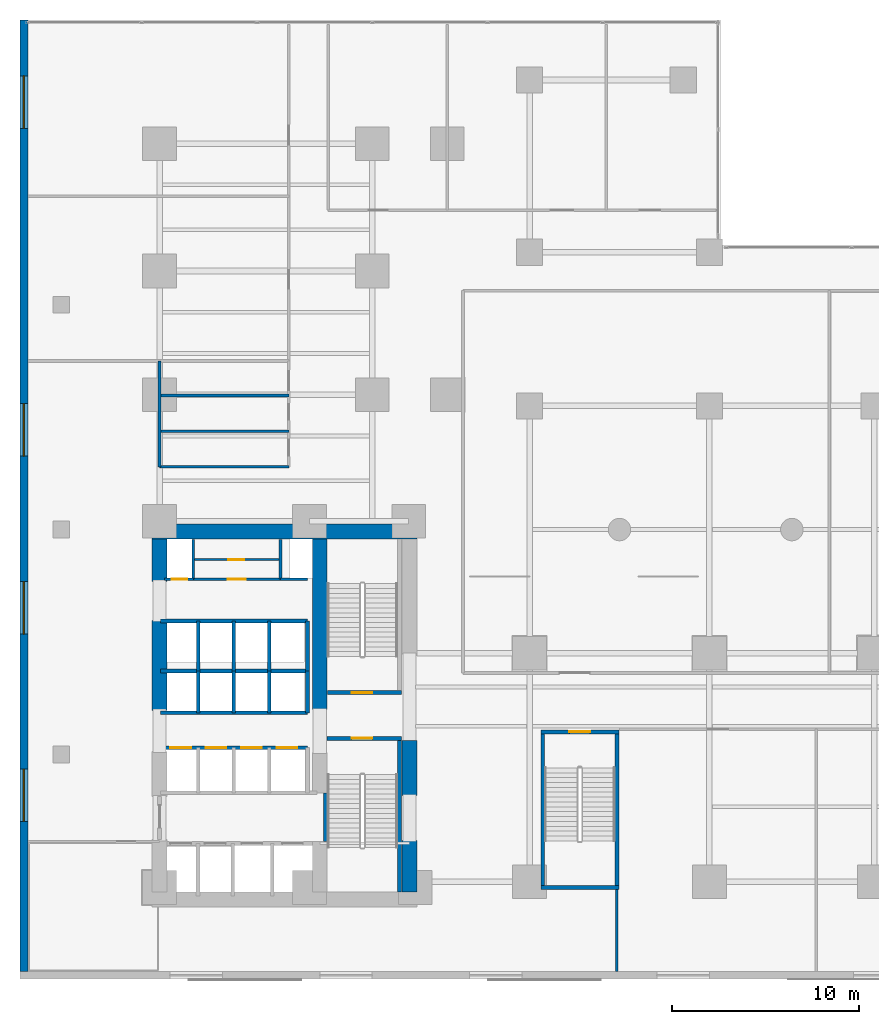
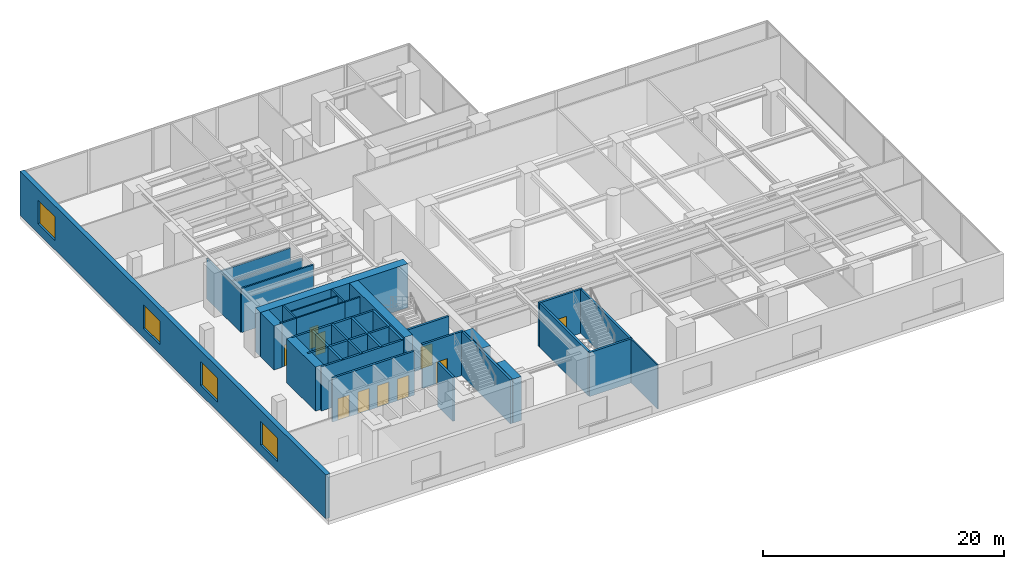
# One storey, part 12 of 16: 38 walls, 10 doors, 4 windows, 14 openings.
"""IFC4 building model written with IfcOpenShell, lengths in metres."""

from ifc_helpers import new_model, si_unit, direction, frame, frame_2d, origin, place, context, subcontext, project, spatial, rectangle, extrude, material, layer, layer_set, type_object, element, fill, save


model = new_model("IFC4")

# Units and contexts
model_context = context("Model", 3, precision=1e-05, world=origin(), true_north=direction((0.0, 1.0)))
body_context = subcontext(model_context, "Body", "Model", "MODEL_VIEW")
ifc_project = project(units=[si_unit("LENGTHUNIT", "METRE"), si_unit("AREAUNIT", "SQUARE_METRE"), si_unit("VOLUMEUNIT", "CUBIC_METRE"), si_unit("PLANEANGLEUNIT", "RADIAN"), si_unit("MASSUNIT", "GRAM", prefix="KILO")], contexts=[model_context])

# Site, building, storey
site_placement = place(None, origin())
site = spatial("IfcSite", under=ifc_project, at=site_placement, CompositionType="ELEMENT")
building_placement = place(site_placement, origin())
building = spatial("IfcBuilding", under=site, at=building_placement, Name="Kolvaren Waterfront Exchange", CompositionType="ELEMENT")
storey_placement = place(building_placement, frame((0.0, 0.0, 20.0)))
storey = spatial("IfcBuildingStorey", under=building, at=storey_placement, Name="L05", CompositionType="ELEMENT", Elevation=20.0)

# Wall, openings, windows
ifc_material_1 = material(Name="Precast concrete C40/50", Category="concrete")
ifc_layer_1 = layer(ifc_material_1, 0.419921875, Name="Precast concrete C40/50")
ifc_layer_set_1 = layer_set([ifc_layer_1], Name="Precast concrete C40/50")
wall_type_1 = type_object("IfcWallType", Name="ARC-EXT-GRANITE-420", PredefinedType="SOLIDWALL", material=ifc_layer_set_1)
wall_1_placement = place(storey_placement, frame((0.2099609375, 0.419921875, 0.0), z_axis=(0.0, 0.0, 1.0), x_axis=(0.0, 1.0, 0.0)))
wall_1 = element("IfcWall", 1, at=wall_1_placement, inside=storey, type_object=wall_type_1, Name="L05 west granite precast facade wall", PredefinedType="SOLIDWALL", context=body_context, shape_type="SweptSolid", body=[
    extrude(rectangle(XDim=50.780029296875, YDim=0.419921875, at=frame_2d((25.39013671875, 0.0))), origin(), (0.0, 0.0, 1.0), 4.4599609375),
])
opening_1_placement = place(wall_1_placement, frame((8.0, 0.0, 0.949951171875)))
opening_1 = element("IfcOpeningElement", 2, at=opening_1_placement, cuts=wall_1, Name="Opening W05", PredefinedType="OPENING", context=body_context, shape_type="SweptSolid", body=[
    extrude(rectangle(XDim=2.800048828125, YDim=2.39990234375, at=frame_2d((1.39990234375, 1.199951171875))), frame((0.0, 0.219970703125, 0.0), z_axis=(0.0, -1.0, 0.0), x_axis=(1.0, 0.0, 0.0)), (0.0, 0.0, 1.0), 0.43994140625),
])
opening_2_placement = place(wall_1_placement, frame((18.0, 0.0, 0.949951171875)))
opening_2 = element("IfcOpeningElement", 3, at=opening_2_placement, cuts=wall_1, Name="Opening W05", PredefinedType="OPENING", context=body_context, shape_type="SweptSolid", body=[
    extrude(rectangle(XDim=2.800048828125, YDim=2.39990234375, at=frame_2d((1.39990234375, 1.199951171875))), frame((0.0, 0.219970703125, 0.0), z_axis=(0.0, -1.0, 0.0), x_axis=(1.0, 0.0, 0.0)), (0.0, 0.0, 1.0), 0.43994140625),
])
opening_3_placement = place(wall_1_placement, frame((27.5, 0.0, 0.949951171875)))
opening_3 = element("IfcOpeningElement", 4, at=opening_3_placement, cuts=wall_1, Name="Opening W05", PredefinedType="OPENING", context=body_context, shape_type="SweptSolid", body=[
    extrude(rectangle(XDim=2.800048828125, YDim=2.39990234375, at=frame_2d((1.39990234375, 1.199951171875))), frame((0.0, 0.219970703125, 0.0), z_axis=(0.0, -1.0, 0.0), x_axis=(1.0, 0.0, 0.0)), (0.0, 0.0, 1.0), 0.43994140625),
])
opening_4_placement = place(wall_1_placement, frame((45.0, 0.0, 0.949951171875)))
opening_4 = element("IfcOpeningElement", 5, at=opening_4_placement, cuts=wall_1, Name="Opening W05", PredefinedType="OPENING", context=body_context, shape_type="SweptSolid", body=[
    extrude(rectangle(XDim=2.800048828125, YDim=2.39990234375, at=frame_2d((1.39990234375, 1.199951171875))), frame((0.0, 0.219970703125, 0.0), z_axis=(0.0, -1.0, 0.0), x_axis=(1.0, 0.0, 0.0)), (0.0, 0.0, 1.0), 0.43994140625),
])
ifc_material_2 = material(Name="High-span laminated vision glass", Category="glass")
window_type = type_object("IfcWindowType", Name="ARC-WIN-2800x2400", PartitioningType="SINGLE_PANEL", PredefinedType="WINDOW", material=ifc_material_2)
window_1_placement = place(opening_1_placement, origin())
window_1 = element("IfcWindow", 6, at=window_1_placement, inside=storey, type_object=window_type, Name="L05 west modular window 1", OverallHeight=2.39990234375, OverallWidth=2.800048828125, PartitioningType="SINGLE_PANEL", PredefinedType="WINDOW", context=body_context, shape_type="SweptSolid", body=[
    extrude(rectangle(XDim=2.800048828125, YDim=2.39990234375, at=frame_2d((1.39990234375, 1.199951171875))), frame((0.0, 0.030029296875, 0.0), z_axis=(0.0, -1.0, 0.0), x_axis=(1.0, 0.0, 0.0)), (0.0, 0.0, 1.0), 0.06005859375),
])
fill(opening_1, window_1)
window_2_placement = place(opening_2_placement, origin())
window_2 = element("IfcWindow", 7, at=window_2_placement, inside=storey, type_object=window_type, Name="L05 west modular window 2", OverallHeight=2.39990234375, OverallWidth=2.800048828125, PartitioningType="SINGLE_PANEL", PredefinedType="WINDOW", context=body_context, shape_type="SweptSolid", body=[
    extrude(rectangle(XDim=2.800048828125, YDim=2.39990234375, at=frame_2d((1.39990234375, 1.199951171875))), frame((0.0, 0.030029296875, 0.0), z_axis=(0.0, -1.0, 0.0), x_axis=(1.0, 0.0, 0.0)), (0.0, 0.0, 1.0), 0.06005859375),
])
fill(opening_2, window_2)
window_3_placement = place(opening_3_placement, origin())
window_3 = element("IfcWindow", 8, at=window_3_placement, inside=storey, type_object=window_type, Name="L05 west modular window 3", OverallHeight=2.39990234375, OverallWidth=2.800048828125, PartitioningType="SINGLE_PANEL", PredefinedType="WINDOW", context=body_context, shape_type="SweptSolid", body=[
    extrude(rectangle(XDim=2.800048828125, YDim=2.39990234375, at=frame_2d((1.39990234375, 1.199951171875))), frame((0.0, 0.030029296875, 0.0), z_axis=(0.0, -1.0, 0.0), x_axis=(1.0, 0.0, 0.0)), (0.0, 0.0, 1.0), 0.06005859375),
])
fill(opening_3, window_3)
window_4_placement = place(opening_4_placement, origin())
window_4 = element("IfcWindow", 9, at=window_4_placement, inside=storey, type_object=window_type, Name="L05 west modular window 4", OverallHeight=2.39990234375, OverallWidth=2.800048828125, PartitioningType="SINGLE_PANEL", PredefinedType="WINDOW", context=body_context, shape_type="SweptSolid", body=[
    extrude(rectangle(XDim=2.800048828125, YDim=2.39990234375, at=frame_2d((1.39990234375, 1.199951171875))), frame((0.0, 0.030029296875, 0.0), z_axis=(0.0, -1.0, 0.0), x_axis=(1.0, 0.0, 0.0)), (0.0, 0.0, 1.0), 0.06005859375),
])
fill(opening_4, window_4)

# Wall, opening, door
ifc_layer_2 = layer(ifc_material_1, 0.199951171875, Name="Precast concrete C40/50")
ifc_layer_set_2 = layer_set([ifc_layer_2], Name="Precast concrete C40/50")
wall_type_2 = type_object("IfcWallType", Name="ARC-FIRE-200", PredefinedType="PARTITIONING", material=ifc_layer_set_2)
wall_2_placement = place(storey_placement, frame((16.39990234375, 12.85009765625, 0.0), z_axis=(0.0, 0.0, 1.0), x_axis=(1.0, 0.0, 0.0)))
wall_2 = element("IfcWall", 10, at=wall_2_placement, inside=storey, type_object=wall_type_2, Name="L05 interior wall PW-L05-ST1-THROAT-S", PredefinedType="PARTITIONING", context=body_context, shape_type="SweptSolid", body=[
    extrude(rectangle(XDim=3.960205078125, YDim=0.199951171875, at=frame_2d((1.97998046875, 0.0))), origin(), (0.0, 0.0, 1.0), 4.4599609375),
])
opening_5_placement = place(wall_2_placement, frame((1.3037109375, 0.0, 0.0)))
opening_5 = element("IfcOpeningElement", 11, at=opening_5_placement, cuts=wall_2, Name="Opening FD2", PredefinedType="OPENING", context=body_context, shape_type="SweptSolid", body=[
    extrude(rectangle(XDim=1.10009765625, YDim=2.199951171875, at=frame_2d((0.550048828125, 1.10009765625))), frame((0.0, 0.10986328125, 0.0), z_axis=(0.0, -1.0, 0.0), x_axis=(1.0, 0.0, 0.0)), (0.0, 0.0, 1.0), 0.219970703125),
])
ifc_material_3 = material(Name="Pressed steel smoke-seal fire door", Category="steel")
door_type_1 = type_object("IfcDoorType", Name="ARC-FD-1100", OperationType="NOTDEFINED", PredefinedType="DOOR", material=ifc_material_3)
door_1_placement = place(opening_5_placement, frame((1.10009765625, 0.0, 0.0), z_axis=(0.0, 0.0, 1.0), x_axis=(-1.0, 0.0, 0.0)))
door_1 = element("IfcDoor", 12, at=door_1_placement, inside=storey, type_object=door_type_1, Name="L05 door DR-L05-ST1-IN (FD2)", OperationType="SINGLE_SWING_LEFT", OverallHeight=2.199951171875, OverallWidth=1.10009765625, PredefinedType="DOOR", context=body_context, shape_type="SweptSolid", body=[
    extrude(rectangle(XDim=1.10009765625, YDim=2.199951171875, at=frame_2d((0.550048828125, 1.10009765625))), frame((0.0, 0.02490234375, 0.0), z_axis=(0.0, -1.0, 0.0), x_axis=(1.0, 0.0, 0.0)), (0.0, 0.0, 1.0), 0.050048828125),
])
fill(opening_5, door_1)

wall_3_placement = place(storey_placement, frame((16.409912109375, 15.300048828125, 0.0), z_axis=(0.0, 0.0, 1.0), x_axis=(1.0, 0.0, 0.0)))
wall_3 = element("IfcWall", 13, at=wall_3_placement, inside=storey, type_object=wall_type_2, Name="L05 interior wall PW-L05-ST2-THROAT-N", PredefinedType="PARTITIONING", context=body_context, shape_type="SweptSolid", body=[
    extrude(rectangle(XDim=3.9501953125, YDim=0.199951171875, at=frame_2d((1.97509765625, 0.0))), origin(), (0.0, 0.0, 1.0), 4.4599609375),
])
opening_6_placement = place(wall_3_placement, frame((1.293701171875, 0.0, 0.0)))
opening_6 = element("IfcOpeningElement", 14, at=opening_6_placement, cuts=wall_3, Name="Opening FD2", PredefinedType="OPENING", context=body_context, shape_type="SweptSolid", body=[
    extrude(rectangle(XDim=1.10009765625, YDim=2.199951171875, at=frame_2d((0.550048828125, 1.10009765625))), frame((0.0, 0.10986328125, 0.0), z_axis=(0.0, -1.0, 0.0), x_axis=(1.0, 0.0, 0.0)), (0.0, 0.0, 1.0), 0.219970703125),
])
door_2_placement = place(opening_6_placement, origin())
door_2 = element("IfcDoor", 15, at=door_2_placement, inside=storey, type_object=door_type_1, Name="L05 door DR-L05-ST2-IN (FD2)", OperationType="SINGLE_SWING_RIGHT", OverallHeight=2.199951171875, OverallWidth=1.10009765625, PredefinedType="DOOR", context=body_context, shape_type="SweptSolid", body=[
    extrude(rectangle(XDim=1.10009765625, YDim=2.199951171875, at=frame_2d((0.550048828125, 1.10009765625))), frame((0.0, 0.02490234375, 0.0), z_axis=(0.0, -1.0, 0.0), x_axis=(1.0, 0.0, 0.0)), (0.0, 0.0, 1.0), 0.050048828125),
])
fill(opening_6, door_2)

ifc_material_4 = material(Name="Acoustic gypsum steel stud", Category="steel")
ifc_layer_3 = layer(ifc_material_4, 0.125, Name="Acoustic gypsum steel stud")
ifc_layer_set_3 = layer_set([ifc_layer_3], Name="Acoustic gypsum steel stud")
wall_type_3 = type_object("IfcWallType", Name="ARC-PART-125", PredefinedType="PARTITIONING", material=ifc_layer_set_3)
wall_4_placement = place(storey_placement, frame((9.25, 21.35009765625, 0.0), z_axis=(0.0, 0.0, 1.0), x_axis=(1.0, 0.0, 0.0)))
wall_4 = element("IfcWall", 16, at=wall_4_placement, inside=storey, type_object=wall_type_3, Name="L05 interior wall PW-L05-SVC-EX-S", PredefinedType="PARTITIONING", context=body_context, shape_type="SweptSolid", body=[
    extrude(rectangle(XDim=4.64990234375, YDim=0.125, at=frame_2d((2.324951171875, 0.0))), origin(), (0.0, 0.0, 1.0), 4.4599609375),
])
opening_7_placement = place(wall_4_placement, frame((1.85009765625, 0.0, 0.0)))
opening_7 = element("IfcOpeningElement", 17, at=opening_7_placement, cuts=wall_4, Name="Opening D02", PredefinedType="OPENING", context=body_context, shape_type="SweptSolid", body=[
    extrude(rectangle(XDim=0.949951171875, YDim=2.14990234375, at=frame_2d((0.47509765625, 1.074951171875))), frame((0.0, 0.072509765625, 0.0), z_axis=(0.0, -1.0, 0.0), x_axis=(1.0, 0.0, 0.0)), (0.0, 0.0, 1.0), 0.14501953125),
])
ifc_material_5 = material(Name="Oak veneer acoustic timber", Category="wood")
door_type_2 = type_object("IfcDoorType", Name="ARC-DR-950", OperationType="NOTDEFINED", PredefinedType="DOOR", material=ifc_material_5)
door_3_placement = place(opening_7_placement, origin())
door_3 = element("IfcDoor", 18, at=door_3_placement, inside=storey, type_object=door_type_2, Name="L05 door DR-L05-SVC-DR-1 (D02)", OperationType="SINGLE_SWING_RIGHT", OverallHeight=2.14990234375, OverallWidth=0.949951171875, PredefinedType="DOOR", context=body_context, shape_type="SweptSolid", body=[
    extrude(rectangle(XDim=0.949951171875, YDim=2.14990234375, at=frame_2d((0.47509765625, 1.074951171875))), frame((0.0, 0.02490234375, 0.0), z_axis=(0.0, -1.0, 0.0), x_axis=(1.0, 0.0, 0.0)), (0.0, 0.0, 1.0), 0.050048828125),
])
fill(opening_7, door_3)

wall_5_placement = place(storey_placement, frame((9.25, 22.39990234375, 0.0), z_axis=(0.0, 0.0, 1.0), x_axis=(1.0, 0.0, 0.0)))
wall_5 = element("IfcWall", 19, at=wall_5_placement, inside=storey, type_object=wall_type_3, Name="L05 interior wall PW-L05-SVC-EX-HS", PredefinedType="PARTITIONING", context=body_context, shape_type="SweptSolid", body=[
    extrude(rectangle(XDim=4.64990234375, YDim=0.125, at=frame_2d((2.324951171875, 0.0))), origin(), (0.0, 0.0, 1.0), 4.4599609375),
])
opening_8_placement = place(wall_5_placement, frame((1.875, 0.0, 0.0)))
opening_8 = element("IfcOpeningElement", 20, at=opening_8_placement, cuts=wall_5, Name="Opening D01", PredefinedType="OPENING", context=body_context, shape_type="SweptSolid", body=[
    extrude(rectangle(XDim=0.85009765625, YDim=2.14990234375, at=frame_2d((0.425048828125, 1.074951171875))), frame((0.0, 0.072509765625, 0.0), z_axis=(0.0, -1.0, 0.0), x_axis=(1.0, 0.0, 0.0)), (0.0, 0.0, 1.0), 0.14501953125),
])
ifc_material_6 = material(Name="Oak veneer timber leaf", Category="wood")
door_type_3 = type_object("IfcDoorType", Name="ARC-DR-900", OperationType="NOTDEFINED", PredefinedType="DOOR", material=ifc_material_6)
door_4_placement = place(opening_8_placement, origin())
door_4 = element("IfcDoor", 21, at=door_4_placement, inside=storey, type_object=door_type_3, Name="L05 door DR-L05-SVC-DR-2 (D01)", OperationType="SINGLE_SWING_LEFT", OverallHeight=2.14990234375, OverallWidth=0.85009765625, PredefinedType="DOOR", context=body_context, shape_type="SweptSolid", body=[
    extrude(rectangle(XDim=0.85009765625, YDim=2.14990234375, at=frame_2d((0.425048828125, 1.074951171875))), frame((0.0, 0.02490234375, 0.0), z_axis=(0.0, -1.0, 0.0), x_axis=(1.0, 0.0, 0.0)), (0.0, 0.0, 1.0), 0.050048828125),
])
fill(opening_8, door_4)

# Walls
wall_6_placement = place(storey_placement, frame((31.860107421875, 0.419921875, 0.0), z_axis=(0.0, 0.0, 1.0), x_axis=(0.0, 1.0, 0.0)))
element("IfcWall", 22, at=wall_6_placement, inside=storey, type_object=wall_type_3, Name="L05 interior wall PW-L05-POD-SE-W", PredefinedType="PARTITIONING", context=body_context, shape_type="SweptSolid", body=[
    extrude(rectangle(XDim=4.380126953125, YDim=0.125, at=frame_2d((2.18994140625, 0.0))), origin(), (0.0, 0.0, 1.0), 4.4599609375),
])
ifc_material_7 = material(Name="Gypsum fireboard steel stud", Category="steel")
ifc_layer_4 = layer(ifc_material_7, 0.14990234375, Name="Gypsum fireboard steel stud")
ifc_layer_set_4 = layer_set([ifc_layer_4], Name="Gypsum fireboard steel stud")
wall_type_4 = type_object("IfcWallType", Name="ARC-PART-150", PredefinedType="PARTITIONING", material=ifc_layer_set_4)
for number, where, z_axis, x_axis, name in (
    (23, (9.25, 21.35009765625, 0.0), (0.0, 0.0, 1.0), (0.0, 1.0, 0.0), "L05 interior wall PW-L05-SVC-R1"),
    (24, (13.89990234375, 21.35009765625, 0.0), (0.0, 0.0, 1.0), (0.0, 1.0, 0.0), "L05 interior wall PW-L05-SVC-R2"),
):
    element("IfcWall", number, at=place(storey_placement, frame(where, z_axis=z_axis, x_axis=x_axis)), inside=storey, type_object=wall_type_4, Name=name, PredefinedType="PARTITIONING", context=body_context, shape_type="SweptSolid", body=[
        extrude(rectangle(XDim=2.1298828125, YDim=0.14990234375, at=frame_2d((1.06494140625, 0.0))), origin(), (0.0, 0.0, 1.0), 4.4599609375),
    ])

# Wall, opening, door
wall_7_placement = place(storey_placement, frame((7.699951171875, 21.35009765625, 0.0), z_axis=(0.0, 0.0, 1.0), x_axis=(1.0, 0.0, 0.0)))
wall_7 = element("IfcWall", 25, at=wall_7_placement, inside=storey, type_object=wall_type_4, Name="L05 interior wall PW-L05-SVC-RE-S", PredefinedType="PARTITIONING", context=body_context, shape_type="SweptSolid", body=[
    extrude(rectangle(XDim=1.550048828125, YDim=0.14990234375, at=frame_2d((0.77490234375, 0.0))), origin(), (0.0, 0.0, 1.0), 4.4599609375),
])
opening_9_placement = place(wall_7_placement, frame((0.389892578125, 0.0, 0.0)))
opening_9 = element("IfcOpeningElement", 26, at=opening_9_placement, cuts=wall_7, Name="Opening FD1", PredefinedType="OPENING", context=body_context, shape_type="SweptSolid", body=[
    extrude(rectangle(XDim=0.85009765625, YDim=2.14990234375, at=frame_2d((0.425048828125, 1.074951171875))), frame((0.0, 0.0849609375, 0.0), z_axis=(0.0, -1.0, 0.0), x_axis=(1.0, 0.0, 0.0)), (0.0, 0.0, 1.0), 0.169921875),
])
ifc_material_8 = material(Name="Pressed steel fire leaf", Category="steel")
door_type_4 = type_object("IfcDoorType", Name="ARC-FD-900", OperationType="NOTDEFINED", PredefinedType="DOOR", material=ifc_material_8)
door_5_placement = place(opening_9_placement, origin())
door_5 = element("IfcDoor", 27, at=door_5_placement, inside=storey, type_object=door_type_4, Name="L05 door DR-L05-RISER-E-DR (FD1)", OperationType="SINGLE_SWING_LEFT", OverallHeight=2.14990234375, OverallWidth=0.85009765625, PredefinedType="DOOR", context=body_context, shape_type="SweptSolid", body=[
    extrude(rectangle(XDim=0.85009765625, YDim=2.14990234375, at=frame_2d((0.425048828125, 1.074951171875))), frame((0.0, 0.02490234375, 0.0), z_axis=(0.0, -1.0, 0.0), x_axis=(1.0, 0.0, 0.0)), (0.0, 0.0, 1.0), 0.050048828125),
])
fill(opening_9, door_5)

# Walls
wall_8_placement = place(storey_placement, frame((13.89990234375, 21.35009765625, 0.0), z_axis=(0.0, 0.0, 1.0), x_axis=(1.0, 0.0, 0.0)))
element("IfcWall", 28, at=wall_8_placement, inside=storey, type_object=wall_type_4, Name="L05 interior wall PW-L05-SVC-RP-S", PredefinedType="PARTITIONING", context=body_context, shape_type="SweptSolid", body=[
    extrude(rectangle(XDim=1.4501953125, YDim=0.14990234375, at=frame_2d((0.72509765625, 0.0))), origin(), (0.0, 0.0, 1.0), 4.4599609375),
])
ifc_material_9 = material(Name="Moisture-resistant gypsum stud")
ifc_layer_5 = layer(ifc_material_9, 0.14990234375, Name="Moisture-resistant gypsum stud")
ifc_layer_set_5 = layer_set([ifc_layer_5], Name="Moisture-resistant gypsum stud")
wall_type_5 = type_object("IfcWallType", Name="ARC-PLUMB-150", PredefinedType="PLUMBINGWALL", material=ifc_layer_set_5)
wall_9_placement = place(storey_placement, frame((7.449951171875, 27.35009765625, 0.0), z_axis=(0.0, 0.0, 1.0), x_axis=(1.0, 0.0, 0.0)))
element("IfcWall", 29, at=wall_9_placement, inside=storey, type_object=wall_type_5, Name="L05 interior wall PW-L05-WC-S0", PredefinedType="PLUMBINGWALL", context=body_context, shape_type="SweptSolid", body=[
    extrude(rectangle(XDim=6.900146484375, YDim=0.14990234375, at=frame_2d((3.4501953125, 0.0))), origin(), (0.0, 0.0, 1.0), 4.4599609375),
])
wall_10_placement = place(storey_placement, frame((7.449951171875, 27.35009765625, 0.0), z_axis=(0.0, 0.0, 1.0), x_axis=(0.0, 1.0, 0.0)))
element("IfcWall", 30, at=wall_10_placement, inside=storey, type_object=wall_type_5, Name="L05 interior wall PW-L05-WC-W0", PredefinedType="PLUMBINGWALL", context=body_context, shape_type="SweptSolid", body=[
    extrude(rectangle(XDim=5.64990234375, YDim=0.14990234375, at=frame_2d((2.824951171875, 0.0))), origin(), (0.0, 0.0, 1.0), 4.10009765625),
])
wall_11_placement = place(storey_placement, frame((7.449951171875, 29.25, 0.0), z_axis=(0.0, 0.0, 1.0), x_axis=(1.0, 0.0, 0.0)))
element("IfcWall", 31, at=wall_11_placement, inside=storey, type_object=wall_type_5, Name="L05 interior wall PW-L05-WC-N1", PredefinedType="PLUMBINGWALL", context=body_context, shape_type="SweptSolid", body=[
    extrude(rectangle(XDim=6.900146484375, YDim=0.14990234375, at=frame_2d((3.4501953125, 0.0))), origin(), (0.0, 0.0, 1.0), 3.9599609375),
])
wall_12_placement = place(storey_placement, frame((7.449951171875, 31.14990234375, 0.0), z_axis=(0.0, 0.0, 1.0), x_axis=(1.0, 0.0, 0.0)))
element("IfcWall", 32, at=wall_12_placement, inside=storey, type_object=wall_type_5, Name="L05 interior wall PW-L05-WC-N2", PredefinedType="PLUMBINGWALL", context=body_context, shape_type="SweptSolid", body=[
    extrude(rectangle(XDim=6.900146484375, YDim=0.14990234375, at=frame_2d((3.4501953125, 0.0))), origin(), (0.0, 0.0, 1.0), 3.860107421875),
])
ifc_material_10 = material(Name="Concrete C40/50", Category="concrete")
ifc_layer_6 = layer(ifc_material_10, 0.199951171875, Name="Concrete C40/50")
ifc_layer_set_6 = layer_set([ifc_layer_6], Name="Concrete C40/50")
wall_type_6 = type_object("IfcWallType", Name="ARC-SHAFT-200", PredefinedType="PARTITIONING", material=ifc_layer_set_6)
wall_13_placement = place(storey_placement, frame((16.300048828125, 7.360107421875, 0.0), z_axis=(0.0, 0.0, 1.0), x_axis=(0.0, 1.0, 0.0)))
element("IfcWall", 33, at=wall_13_placement, inside=storey, type_object=wall_type_6, Name="L05 structural stairwell wall PW-L05-ST1-W", PredefinedType="SHEAR", context=body_context, shape_type="SweptSolid", body=[
    extrude(rectangle(XDim=2.579833984375, YDim=0.199951171875, at=frame_2d((1.2900390625, 0.0))), origin(), (0.0, 0.0, 1.0), 4.4599609375),
])
wall_14_placement = place(storey_placement, frame((20.260009765625, 4.659912109375, 0.0), z_axis=(0.0, 0.0, 1.0), x_axis=(0.0, 1.0, 0.0)))
element("IfcWall", 34, at=wall_14_placement, inside=storey, type_object=wall_type_6, Name="L05 structural stairwell wall PW-L05-ST1-E", PredefinedType="SHEAR", context=body_context, shape_type="SweptSolid", body=[
    extrude(rectangle(XDim=8.090087890625, YDim=0.199951171875, at=frame_2d((4.044921875, 0.0))), origin(), (0.0, 0.0, 1.0), 4.4599609375),
])
for number, where, z_axis, x_axis, name in (
    (35, (27.89990234375, 5.0, 0.0), (0.0, 0.0, 1.0), (0.0, 1.0, 0.0), "L05 structural stairwell wall PW-L05-ST3-W"),
    (36, (31.860107421875, 5.0, 0.0), (0.0, 0.0, 1.0), (0.0, 1.0, 0.0), "L05 structural stairwell wall PW-L05-ST3-E"),
):
    element("IfcWall", number, at=place(storey_placement, frame(where, z_axis=z_axis, x_axis=x_axis)), inside=storey, type_object=wall_type_6, Name=name, PredefinedType="SHEAR", context=body_context, shape_type="SweptSolid", body=[
        extrude(rectangle(XDim=8.10009765625, YDim=0.199951171875, at=frame_2d((4.050048828125, 0.0))), origin(), (0.0, 0.0, 1.0), 4.4599609375),
    ])
wall_15_placement = place(storey_placement, frame((27.800048828125, 4.89990234375, 0.0), z_axis=(0.0, 0.0, 1.0), x_axis=(1.0, 0.0, 0.0)))
element("IfcWall", 37, at=wall_15_placement, inside=storey, type_object=wall_type_6, Name="L05 structural stairwell wall PW-L05-ST3-S", PredefinedType="SHEAR", context=body_context, shape_type="SweptSolid", body=[
    extrude(rectangle(XDim=4.159912109375, YDim=0.199951171875, at=frame_2d((2.080078125, 0.0))), origin(), (0.0, 0.0, 1.0), 4.4599609375),
])

# Wall, opening, door
wall_16_placement = place(storey_placement, frame((27.800048828125, 13.199951171875, 0.0), z_axis=(0.0, 0.0, 1.0), x_axis=(1.0, 0.0, 0.0)))
wall_16 = element("IfcWall", 38, at=wall_16_placement, inside=storey, type_object=wall_type_6, Name="L05 structural stairwell wall PW-L05-ST3-N", PredefinedType="SHEAR", context=body_context, shape_type="SweptSolid", body=[
    extrude(rectangle(XDim=4.159912109375, YDim=0.199951171875, at=frame_2d((2.080078125, 0.0))), origin(), (0.0, 0.0, 1.0), 4.4599609375),
])
opening_10_placement = place(wall_16_placement, frame((1.530029296875, 0.0, 0.0)))
opening_10 = element("IfcOpeningElement", 39, at=opening_10_placement, cuts=wall_16, Name="Opening FD2", PredefinedType="OPENING", context=body_context, shape_type="SweptSolid", body=[
    extrude(rectangle(XDim=1.10009765625, YDim=2.199951171875, at=frame_2d((0.550048828125, 1.10009765625))), frame((0.0, 0.10986328125, 0.0), z_axis=(0.0, -1.0, 0.0), x_axis=(1.0, 0.0, 0.0)), (0.0, 0.0, 1.0), 0.219970703125),
])
door_6_placement = place(opening_10_placement, frame((1.10009765625, 0.0, 0.0), z_axis=(0.0, 0.0, 1.0), x_axis=(-1.0, 0.0, 0.0)))
door_6 = element("IfcDoor", 40, at=door_6_placement, inside=storey, type_object=door_type_1, Name="L05 door DR-L05-ST3-IN (FD2)", OperationType="SINGLE_SWING_LEFT", OverallHeight=2.199951171875, OverallWidth=1.10009765625, PredefinedType="DOOR", context=body_context, shape_type="SweptSolid", body=[
    extrude(rectangle(XDim=1.10009765625, YDim=2.199951171875, at=frame_2d((0.550048828125, 1.10009765625))), frame((0.0, 0.02490234375, 0.0), z_axis=(0.0, -1.0, 0.0), x_axis=(1.0, 0.0, 0.0)), (0.0, 0.0, 1.0), 0.050048828125),
])
fill(opening_10, door_6)

# Wall, openings, doors
wall_17_placement = place(storey_placement, frame((7.5, 12.360107421875, 0.0), z_axis=(0.0, 0.0, 1.0), x_axis=(1.0, 0.0, 0.0)))
wall_17 = element("IfcWall", 41, at=wall_17_placement, inside=storey, type_object=wall_type_6, Name="L05 interior wall PW-L05-PL-N", PredefinedType="PARTITIONING", context=body_context, shape_type="SweptSolid", body=[
    extrude(rectangle(XDim=7.85009765625, YDim=0.199951171875, at=frame_2d((3.925048828125, 0.0))), origin(), (0.0, 0.0, 1.0), 4.4599609375),
])
opening_11_placement = place(wall_17_placement, frame((0.530029296875, 0.0, 0.0)))
opening_11 = element("IfcOpeningElement", 42, at=opening_11_placement, cuts=wall_17, Name="Opening LD2", PredefinedType="OPENING", context=body_context, shape_type="SweptSolid", body=[
    extrude(rectangle(XDim=1.10009765625, YDim=2.199951171875, at=frame_2d((0.550048828125, 1.10009765625))), frame((0.0, 0.10986328125, 0.0), z_axis=(0.0, -1.0, 0.0), x_axis=(1.0, 0.0, 0.0)), (0.0, 0.0, 1.0), 0.219970703125),
])
opening_12_placement = place(wall_17_placement, frame((2.419921875, 0.0, 0.0)))
opening_12 = element("IfcOpeningElement", 43, at=opening_12_placement, cuts=wall_17, Name="Opening LD2", PredefinedType="OPENING", context=body_context, shape_type="SweptSolid", body=[
    extrude(rectangle(XDim=1.10009765625, YDim=2.199951171875, at=frame_2d((0.550048828125, 1.10009765625))), frame((0.0, 0.10986328125, 0.0), z_axis=(0.0, -1.0, 0.0), x_axis=(1.0, 0.0, 0.0)), (0.0, 0.0, 1.0), 0.219970703125),
])
opening_13_placement = place(wall_17_placement, frame((4.31005859375, 0.0, 0.0)))
opening_13 = element("IfcOpeningElement", 44, at=opening_13_placement, cuts=wall_17, Name="Opening LD2", PredefinedType="OPENING", context=body_context, shape_type="SweptSolid", body=[
    extrude(rectangle(XDim=1.10009765625, YDim=2.199951171875, at=frame_2d((0.550048828125, 1.10009765625))), frame((0.0, 0.10986328125, 0.0), z_axis=(0.0, -1.0, 0.0), x_axis=(1.0, 0.0, 0.0)), (0.0, 0.0, 1.0), 0.219970703125),
])
opening_14_placement = place(wall_17_placement, frame((6.199951171875, 0.0, 0.0)))
opening_14 = element("IfcOpeningElement", 45, at=opening_14_placement, cuts=wall_17, Name="Opening LD2", PredefinedType="OPENING", context=body_context, shape_type="SweptSolid", body=[
    extrude(rectangle(XDim=1.10009765625, YDim=2.199951171875, at=frame_2d((0.550048828125, 1.10009765625))), frame((0.0, 0.10986328125, 0.0), z_axis=(0.0, -1.0, 0.0), x_axis=(1.0, 0.0, 0.0)), (0.0, 0.0, 1.0), 0.219970703125),
])
ifc_material_11 = material(Name="Brushed bronze sliding landing door", Category="aluminium")
door_type_5 = type_object("IfcDoorType", Name="ARC-LD-PAX", OperationType="SLIDING_TO_LEFT", PredefinedType="DOOR", material=ifc_material_11)
door_7_placement = place(opening_11_placement, origin())
door_7 = element("IfcDoor", 46, at=door_7_placement, inside=storey, type_object=door_type_5, Name="L05 door LD-L05-PL1 (LD2)", OperationType="SLIDING_TO_LEFT", OverallHeight=2.199951171875, OverallWidth=1.10009765625, PredefinedType="DOOR", context=body_context, shape_type="SweptSolid", body=[
    extrude(rectangle(XDim=1.10009765625, YDim=2.199951171875, at=frame_2d((0.550048828125, 1.10009765625))), frame((0.0, 0.02490234375, 0.0), z_axis=(0.0, -1.0, 0.0), x_axis=(1.0, 0.0, 0.0)), (0.0, 0.0, 1.0), 0.050048828125),
])
fill(opening_11, door_7)
door_8_placement = place(opening_12_placement, origin())
door_8 = element("IfcDoor", 47, at=door_8_placement, inside=storey, type_object=door_type_5, Name="L05 door LD-L05-PL2 (LD2)", OperationType="SLIDING_TO_LEFT", OverallHeight=2.199951171875, OverallWidth=1.10009765625, PredefinedType="DOOR", context=body_context, shape_type="SweptSolid", body=[
    extrude(rectangle(XDim=1.10009765625, YDim=2.199951171875, at=frame_2d((0.550048828125, 1.10009765625))), frame((0.0, 0.02490234375, 0.0), z_axis=(0.0, -1.0, 0.0), x_axis=(1.0, 0.0, 0.0)), (0.0, 0.0, 1.0), 0.050048828125),
])
fill(opening_12, door_8)
door_9_placement = place(opening_13_placement, origin())
door_9 = element("IfcDoor", 48, at=door_9_placement, inside=storey, type_object=door_type_5, Name="L05 door LD-L05-PL3 (LD2)", OperationType="SLIDING_TO_LEFT", OverallHeight=2.199951171875, OverallWidth=1.10009765625, PredefinedType="DOOR", context=body_context, shape_type="SweptSolid", body=[
    extrude(rectangle(XDim=1.10009765625, YDim=2.199951171875, at=frame_2d((0.550048828125, 1.10009765625))), frame((0.0, 0.02490234375, 0.0), z_axis=(0.0, -1.0, 0.0), x_axis=(1.0, 0.0, 0.0)), (0.0, 0.0, 1.0), 0.050048828125),
])
fill(opening_13, door_9)
door_10_placement = place(opening_14_placement, origin())
door_10 = element("IfcDoor", 49, at=door_10_placement, inside=storey, type_object=door_type_5, Name="L05 door LD-L05-PL4 (LD2)", OperationType="SLIDING_TO_LEFT", OverallHeight=2.199951171875, OverallWidth=1.10009765625, PredefinedType="DOOR", context=body_context, shape_type="SweptSolid", body=[
    extrude(rectangle(XDim=1.10009765625, YDim=2.199951171875, at=frame_2d((0.550048828125, 1.10009765625))), frame((0.0, 0.02490234375, 0.0), z_axis=(0.0, -1.0, 0.0), x_axis=(1.0, 0.0, 0.0)), (0.0, 0.0, 1.0), 0.050048828125),
])
fill(opening_14, door_10)

# Walls
for number, where, z_axis, x_axis, name in (
    (50, (7.5, 14.219970703125, 0.0), (0.0, 0.0, 1.0), (1.0, 0.0, 0.0), "L05 interior wall PW-L05-PM-S"),
    (51, (7.5, 16.449951171875, 0.0), (0.0, 0.0, 1.0), (1.0, 0.0, 0.0), "L05 interior wall PW-L05-PM-N"),
):
    element("IfcWall", number, at=place(storey_placement, frame(where, z_axis=z_axis, x_axis=x_axis)), inside=storey, type_object=wall_type_6, Name=name, PredefinedType="PARTITIONING", context=body_context, shape_type="SweptSolid", body=[
        extrude(rectangle(XDim=7.85009765625, YDim=0.199951171875, at=frame_2d((3.925048828125, 0.0))), origin(), (0.0, 0.0, 1.0), 4.4599609375),
    ])
for number, where, z_axis, x_axis, name in (
    (52, (15.35009765625, 14.219970703125, 0.0), (0.0, 0.0, 1.0), (0.0, 1.0, 0.0), "L05 interior wall PW-L05-PM-E"),
    (53, (9.52001953125, 14.219970703125, 0.0), (0.0, 0.0, 1.0), (0.0, 1.0, 0.0), "L05 interior wall PW-L05-SH3-DIV-95"),
    (54, (11.409912109375, 14.219970703125, 0.0), (0.0, 0.0, 1.0), (0.0, 1.0, 0.0), "L05 interior wall PW-L05-SH3-DIV-114"),
    (55, (13.300048828125, 14.219970703125, 0.0), (0.0, 0.0, 1.0), (0.0, 1.0, 0.0), "L05 interior wall PW-L05-SH3-DIV-133"),
):
    element("IfcWall", number, at=place(storey_placement, frame(where, z_axis=z_axis, x_axis=x_axis)), inside=storey, type_object=wall_type_6, Name=name, PredefinedType="PARTITIONING", context=body_context, shape_type="SweptSolid", body=[
        extrude(rectangle(XDim=2.22998046875, YDim=0.199951171875, at=frame_2d((1.114990234375, 0.0))), origin(), (0.0, 0.0, 1.0), 4.4599609375),
    ])
wall_18_placement = place(storey_placement, frame((7.5, 19.1201171875, 0.0), z_axis=(0.0, 0.0, 1.0), x_axis=(1.0, 0.0, 0.0)))
element("IfcWall", 56, at=wall_18_placement, inside=storey, type_object=wall_type_6, Name="L05 interior wall PW-L05-PH-N", PredefinedType="PARTITIONING", context=body_context, shape_type="SweptSolid", body=[
    extrude(rectangle(XDim=7.85009765625, YDim=0.199951171875, at=frame_2d((3.925048828125, 0.0))), origin(), (0.0, 0.0, 1.0), 4.4599609375),
])
for number, where, z_axis, x_axis, name in (
    (57, (15.35009765625, 16.449951171875, 0.0), (0.0, 0.0, 1.0), (0.0, 1.0, 0.0), "L05 interior wall PW-L05-PH-E"),
    (58, (9.52001953125, 16.449951171875, 0.0), (0.0, 0.0, 1.0), (0.0, 1.0, 0.0), "L05 interior wall PW-L05-SH4-DIV-95"),
    (59, (11.409912109375, 16.449951171875, 0.0), (0.0, 0.0, 1.0), (0.0, 1.0, 0.0), "L05 interior wall PW-L05-SH4-DIV-114"),
    (60, (13.300048828125, 16.449951171875, 0.0), (0.0, 0.0, 1.0), (0.0, 1.0, 0.0), "L05 interior wall PW-L05-SH4-DIV-133"),
):
    element("IfcWall", number, at=place(storey_placement, frame(where, z_axis=z_axis, x_axis=x_axis)), inside=storey, type_object=wall_type_6, Name=name, PredefinedType="PARTITIONING", context=body_context, shape_type="SweptSolid", body=[
        extrude(rectangle(XDim=2.670166015625, YDim=0.199951171875, at=frame_2d((1.3349609375, 0.0))), origin(), (0.0, 0.0, 1.0), 4.4599609375),
    ])
ifc_material_12 = material(Name="Concrete C70/85", Category="concrete")
ifc_layer_7 = layer(ifc_material_12, 0.800048828125, Name="Concrete C70/85")
ifc_layer_set_7 = layer_set([ifc_layer_7], Name="Concrete C70/85")
wall_type_7 = type_object("IfcWallType", Name="STR-CWALL-800", PredefinedType="SHEAR", material=ifc_layer_set_7)
wall_19_placement = place(storey_placement, frame((7.050048828125, 23.89990234375, 0.0), z_axis=(0.0, 0.0, 1.0), x_axis=(1.0, 0.0, 0.0)))
element("IfcWall", 61, at=wall_19_placement, inside=storey, type_object=wall_type_7, Name="L05 rear-core shear wall N", PredefinedType="SHEAR", context=body_context, shape_type="SweptSolid", body=[
    extrude(rectangle(XDim=14.14990234375, YDim=0.800048828125, at=frame_2d((7.074951171875, 0.0))), origin(), (0.0, 0.0, 1.0), 4.4599609375),
])
wall_20_placement = place(storey_placement, frame((7.449951171875, 14.35009765625, 0.0), z_axis=(0.0, 0.0, 1.0), x_axis=(0.0, 1.0, 0.0)))
element("IfcWall", 62, at=wall_20_placement, inside=storey, type_object=wall_type_7, Name="L05 rear-core shear wall W2B", PredefinedType="SHEAR", context=body_context, shape_type="SweptSolid", body=[
    extrude(rectangle(XDim=4.809814453125, YDim=0.800048828125, at=frame_2d((2.40478515625, 0.0))), origin(), (0.0, 0.0, 1.0), 4.4599609375),
])
wall_21_placement = place(storey_placement, frame((7.449951171875, 21.239990234375, 0.0), z_axis=(0.0, 0.0, 1.0), x_axis=(0.0, 1.0, 0.0)))
element("IfcWall", 63, at=wall_21_placement, inside=storey, type_object=wall_type_7, Name="L05 rear-core shear wall W3", PredefinedType="SHEAR", context=body_context, shape_type="SweptSolid", body=[
    extrude(rectangle(XDim=2.260009765625, YDim=0.800048828125, at=frame_2d((1.1298828125, 0.0))), origin(), (0.0, 0.0, 1.0), 4.4599609375),
])
wall_22_placement = place(storey_placement, frame((20.800048828125, 4.64990234375, 0.0), z_axis=(0.0, 0.0, 1.0), x_axis=(0.0, 1.0, 0.0)))
element("IfcWall", 64, at=wall_22_placement, inside=storey, type_object=wall_type_7, Name="L05 rear-core shear wall E1", PredefinedType="SHEAR", context=body_context, shape_type="SweptSolid", body=[
    extrude(rectangle(XDim=2.75, YDim=0.800048828125, at=frame_2d((1.375, 0.0))), origin(), (0.0, 0.0, 1.0), 4.4599609375),
])
wall_23_placement = place(storey_placement, frame((20.800048828125, 9.800048828125, 0.0), z_axis=(0.0, 0.0, 1.0), x_axis=(0.0, 1.0, 0.0)))
element("IfcWall", 65, at=wall_23_placement, inside=storey, type_object=wall_type_7, Name="L05 rear-core shear wall E2", PredefinedType="SHEAR", context=body_context, shape_type="SweptSolid", body=[
    extrude(rectangle(XDim=2.949951171875, YDim=0.800048828125, at=frame_2d((1.47509765625, 0.0))), origin(), (0.0, 0.0, 1.0), 4.4599609375),
])
wall_24_placement = place(storey_placement, frame((16.0, 14.39990234375, 0.0), z_axis=(0.0, 0.0, 1.0), x_axis=(0.0, 1.0, 0.0)))
element("IfcWall", 66, at=wall_24_placement, inside=storey, type_object=wall_type_7, Name="L05 rear-core shear wall M3", PredefinedType="SHEAR", context=body_context, shape_type="SweptSolid", body=[
    extrude(rectangle(XDim=9.10009765625, YDim=0.800048828125, at=frame_2d((4.550048828125, 0.0))), origin(), (0.0, 0.0, 1.0), 4.4599609375),
])

save(model, "model.ifc")
